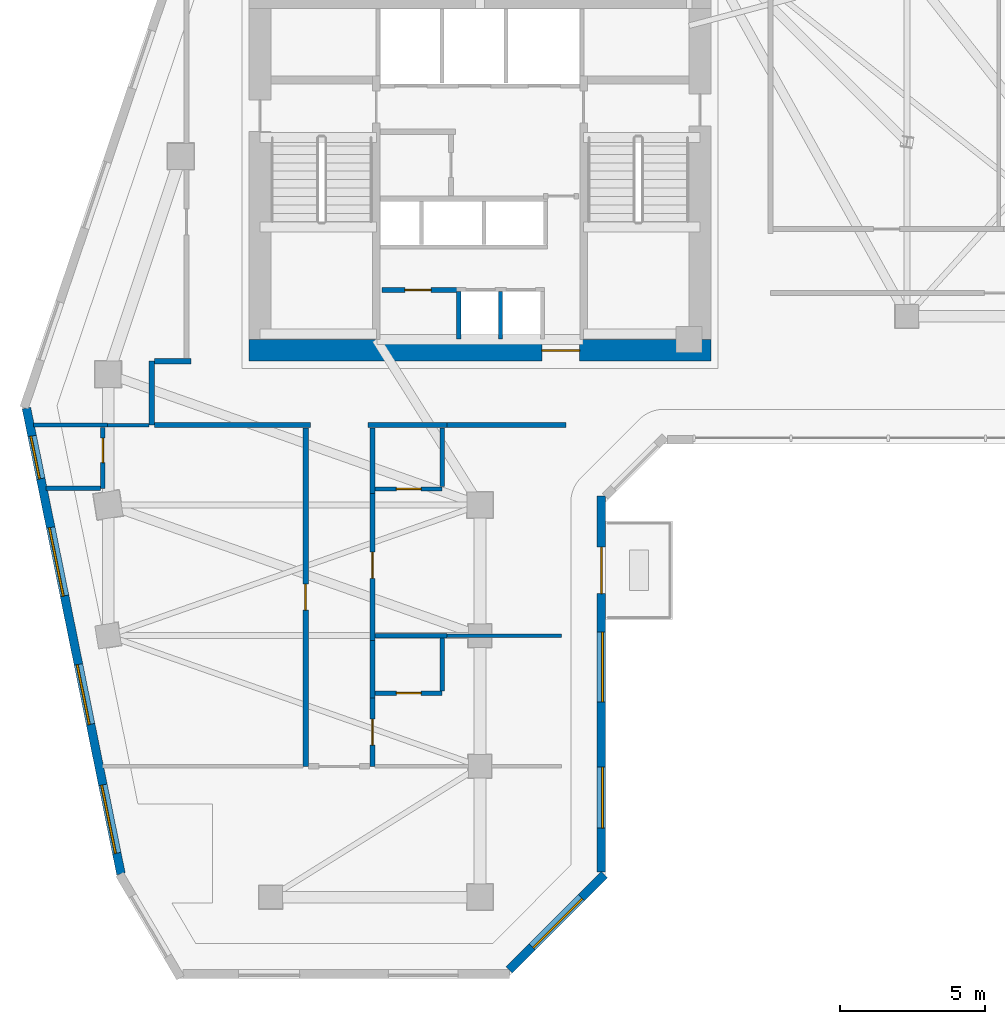
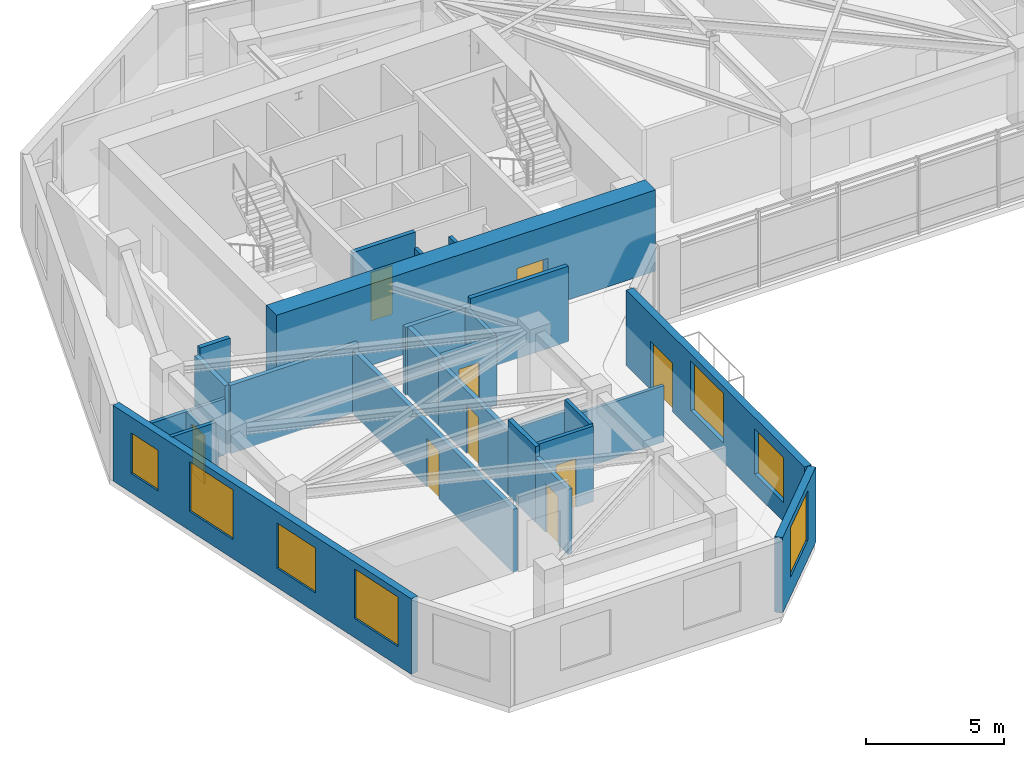
# One storey, part 4 of 10: 27 walls, 9 doors, 7 windows, 16 openings.
"""IFC4 building model written with IfcOpenShell, lengths in metres."""

from ifc_helpers import new_model, si_unit, direction, frame, frame_2d, origin, place, context, subcontext, project, spatial, rectangle, extrude, source, transform, mapped, material, layer, layer_set, type_object, element, fill, save


model = new_model("IFC4")

# Units and contexts
model_context = context("Model", 3, precision=1e-05, world=origin(), true_north=direction((0.0, 1.0)))
body_context = subcontext(model_context, "Body", "Model", "MODEL_VIEW")
ifc_project = project(units=[si_unit("LENGTHUNIT", "METRE"), si_unit("AREAUNIT", "SQUARE_METRE"), si_unit("VOLUMEUNIT", "CUBIC_METRE"), si_unit("PLANEANGLEUNIT", "RADIAN"), si_unit("MASSUNIT", "GRAM", prefix="KILO")], contexts=[model_context])

# Site, building, storey
site_placement = place(None, origin())
site = spatial("IfcSite", under=ifc_project, at=site_placement, CompositionType="ELEMENT")
building_placement = place(site_placement, origin())
building = spatial("IfcBuilding", under=site, at=building_placement, Name="Calvemar Wedge Station Tower", CompositionType="ELEMENT")
storey_placement = place(building_placement, frame((0.0, 0.0, 150.199951171875)))
storey = spatial("IfcBuildingStorey", under=building, at=storey_placement, Name="L37", CompositionType="ELEMENT", Elevation=150.199951171875)

# Wall, opening, door
ifc_material_1 = material(Name="Concrete C70", Category="concrete")
ifc_layer_1 = layer(ifc_material_1, 0.75)
ifc_layer_set_1 = layer_set([ifc_layer_1], Name="Concrete C70")
wall_type_1 = type_object("IfcWallType", Name="SW-CORE-750", PredefinedType="SHEAR", material=ifc_layer_set_1)
wall_1_placement = place(storey_placement, frame((15.85009765625, 33.824951171875, 0.0), z_axis=(0.0, 0.0, 1.0), x_axis=(1.0, 0.0, 0.0)))
wall_1 = element("IfcWall", 1, at=wall_1_placement, inside=storey, type_object=wall_type_1, Name="Storey L37 Core Shear Wall S", PredefinedType="SHEAR", context=body_context, shape_type="SweptSolid", body=[
    extrude(rectangle(XDim=15.89990234375, YDim=0.75, at=frame_2d((7.949951171875, 0.0))), origin(), (0.0, 0.0, 1.0), 3.60009765625),
])
shared_shape_1 = source(origin(), body_context, "Body", "SweptSolid", [
    extrude(rectangle(XDim=1.300048828125, YDim=2.14990234375, at=frame_2d((0.64990234375, 1.074951171875))), frame((0.0, 0.385009765625, 0.0), z_axis=(0.0, -1.0, 0.0), x_axis=(1.0, 0.0, 0.0)), (0.0, 0.0, 1.0), 0.77001953125),
])
opening_1_placement = place(wall_1_placement, frame((10.080078125, 0.0, 0.0)))
opening_1 = element("IfcOpeningElement", 2, at=opening_1_placement, cuts=wall_1, Name="Opening DD-130", PredefinedType="OPENING", context=body_context, shape_type="MappedRepresentation", body=[
    mapped(shared_shape_1, transform((0.0, 0.0, 0.0), scale=1.0)),
])
ifc_material_2 = material(Name="Double-leaf lift lobby fire door EI 60")
door_type_1 = type_object("IfcDoorType", Name="DR-DBL-1300", OperationType="DOUBLE_DOOR_SINGLE_SWING", PredefinedType="DOOR", material=ifc_material_2)
shared_shape_2 = source(origin(), body_context, "Body", "SweptSolid", [
    extrude(rectangle(XDim=1.300048828125, YDim=2.14990234375, at=frame_2d((0.64990234375, 1.074951171875))), frame((0.0, 0.02490234375, 0.0), z_axis=(0.0, -1.0, 0.0), x_axis=(1.0, 0.0, 0.0)), (0.0, 0.0, 1.0), 0.050048828125),
])
door_1_placement = place(opening_1_placement, origin())
door_1 = element("IfcDoor", 3, at=door_1_placement, inside=storey, type_object=door_type_1, Name="L37 Passenger Lift Lobby Door", OperationType="DOUBLE_DOOR_SINGLE_SWING", OverallHeight=2.14990234375, OverallWidth=1.300048828125, PredefinedType="DOOR", context=body_context, shape_type="MappedRepresentation", body=[
    mapped(shared_shape_2, transform((0.0, 0.0, 0.0), scale=1.0)),
])
fill(opening_1, door_1)

ifc_material_3 = material(Name="Double-stud fire-rated corridor partition")
ifc_layer_2 = layer(ifc_material_3, 0.179931640625)
ifc_layer_set_2 = layer_set([ifc_layer_2], Name="Double-stud fire-rated corridor partition")
wall_type_2 = type_object("IfcWallType", Name="W-CORR-180", PredefinedType="PARTITIONING", material=ifc_layer_set_2)
wall_2_placement = place(storey_placement, frame((20.419921875, 35.89990234375, 0.0), z_axis=(0.0, 0.0, 1.0), x_axis=(1.0, 0.0, 0.0)))
wall_2 = element("IfcWall", 4, at=wall_2_placement, inside=storey, type_object=wall_type_2, Name="Storey L37 Interior Partition WL-L37-004", PredefinedType="PARTITIONING", context=body_context, shape_type="SweptSolid", body=[
    extrude(rectangle(XDim=2.6201171875, YDim=0.179931640625, at=frame_2d((1.31005859375, 0.0))), origin(), (0.0, 0.0, 1.0), 3.35009765625),
])
shared_shape_3 = source(origin(), body_context, "Body", "SweptSolid", [
    extrude(rectangle(XDim=0.89990234375, YDim=2.14990234375, at=frame_2d((0.449951171875, 1.074951171875))), frame((0.0, 0.10009765625, 0.0), z_axis=(0.0, -1.0, 0.0), x_axis=(1.0, 0.0, 0.0)), (0.0, 0.0, 1.0), 0.199951171875),
])
opening_2_placement = place(wall_2_placement, frame((0.795654296875, 0.0, 0.0)))
opening_2 = element("IfcOpeningElement", 5, at=opening_2_placement, cuts=wall_2, Name="Opening FD-60", PredefinedType="OPENING", context=body_context, shape_type="MappedRepresentation", body=[
    mapped(shared_shape_3, transform((0.0, 0.0, 0.0), scale=1.0)),
])
ifc_material_4 = material(Name="Fire-rated acoustic timber-core entrance door EI 60", Category="wood")
door_type_2 = type_object("IfcDoorType", Name="DR-FD60-900", OperationType="NOTDEFINED", PredefinedType="DOOR", material=ifc_material_4)
shared_shape_4 = source(origin(), body_context, "Body", "SweptSolid", [
    extrude(rectangle(XDim=0.89990234375, YDim=2.14990234375, at=frame_2d((0.449951171875, 1.074951171875))), frame((0.0, 0.02490234375, 0.0), z_axis=(0.0, -1.0, 0.0), x_axis=(1.0, 0.0, 0.0)), (0.0, 0.0, 1.0), 0.050048828125),
])
door_2_placement = place(opening_2_placement, origin())
door_2 = element("IfcDoor", 6, at=door_2_placement, inside=storey, type_object=door_type_2, Name="L37 Housekeeping Store Door", OperationType="SINGLE_SWING_LEFT", OverallHeight=2.14990234375, OverallWidth=0.89990234375, PredefinedType="DOOR", context=body_context, shape_type="MappedRepresentation", body=[
    mapped(shared_shape_4, transform((0.0, 0.0, 0.0), scale=1.0)),
])
fill(opening_2, door_2)

# Walls
wall_3_placement = place(storey_placement, frame((12.5, 31.25, 0.0), z_axis=(0.0, 0.0, 1.0), x_axis=(0.0, 1.0, 0.0)))
element("IfcWall", 7, at=wall_3_placement, inside=storey, type_object=wall_type_2, Name="Storey L37 Interior Partition WL-L37-005", PredefinedType="PARTITIONING", context=body_context, shape_type="SweptSolid", body=[
    extrude(rectangle(XDim=2.199951171875, YDim=0.179931640625, at=frame_2d((1.10009765625, 0.0))), origin(), (0.0, 0.0, 1.0), 3.01904296875),
])
wall_4_placement = place(storey_placement, frame((12.593994140625, 33.449951171875, 0.0), z_axis=(0.0, 0.0, 1.0), x_axis=(1.0, 0.0, 0.0)))
element("IfcWall", 8, at=wall_4_placement, inside=storey, type_object=wall_type_2, Name="Storey L37 Interior Partition WL-L37-006", PredefinedType="PARTITIONING", context=body_context, shape_type="SweptSolid", body=[
    extrude(rectangle(XDim=1.26611328125, YDim=0.179931640625, at=frame_2d((0.633056640625, 0.0))), origin(), (0.0, 0.0, 1.0), 3.35009765625),
])
wall_5_placement = place(storey_placement, frame((17.9599609375, 31.25, 0.0), z_axis=(0.0, 0.0, 1.0), x_axis=(-1.0, 0.0, 0.0)))
element("IfcWall", 9, at=wall_5_placement, inside=storey, type_object=wall_type_2, Name="Storey L37 Interior Partition WL-L37-007", PredefinedType="PARTITIONING", context=body_context, shape_type="SweptSolid", body=[
    extrude(rectangle(XDim=5.365966796875, YDim=0.179931640625, at=frame_2d((2.68310546875, 0.0))), origin(), (0.0, 0.0, 1.0), 3.01904296875),
])
wall_6_placement = place(storey_placement, frame((22.659912109375, 31.25, 0.0), z_axis=(0.0, 0.0, 1.0), x_axis=(-1.0, 0.0, 0.0)))
element("IfcWall", 10, at=wall_6_placement, inside=storey, type_object=wall_type_2, Name="Storey L37 Interior Partition WL-L37-008", PredefinedType="PARTITIONING", context=body_context, shape_type="SweptSolid", body=[
    extrude(rectangle(XDim=2.719970703125, YDim=0.179931640625, at=frame_2d((1.35986328125, 0.0))), origin(), (0.0, 0.0, 1.0), 3.01904296875),
])
wall_7_placement = place(storey_placement, frame((26.760009765625, 31.25, 0.0), z_axis=(0.0, 0.0, 1.0), x_axis=(-1.0, 0.0, 0.0)))
element("IfcWall", 11, at=wall_7_placement, inside=storey, type_object=wall_type_2, Name="Storey L37 Interior Partition WL-L37-009", PredefinedType="PARTITIONING", context=body_context, shape_type="SweptSolid", body=[
    extrude(rectangle(XDim=4.097900390625, YDim=0.179931640625, at=frame_2d((2.048828125, 0.0))), origin(), (0.0, 0.0, 1.0), 3.35009765625),
])

# Wall, opening, door
wall_8_placement = place(storey_placement, frame((17.800048828125, 19.5, 0.0), z_axis=(0.0, 0.0, 1.0), x_axis=(0.0, 1.0, 0.0)))
wall_8 = element("IfcWall", 12, at=wall_8_placement, inside=storey, type_object=wall_type_2, Name="Storey L37 Interior Partition WL-L37-033", PredefinedType="PARTITIONING", context=body_context, shape_type="SweptSolid", body=[
    extrude(rectangle(XDim=11.656005859375, YDim=0.179931640625, at=frame_2d((5.828125, 0.0))), origin(), (0.0, 0.0, 1.0), 2.802978515625),
])
opening_3_placement = place(wall_8_placement, frame((5.3779296875, 0.0, 0.0)))
opening_3 = element("IfcOpeningElement", 13, at=opening_3_placement, cuts=wall_8, Name="Opening FD-60", PredefinedType="OPENING", context=body_context, shape_type="MappedRepresentation", body=[
    mapped(shared_shape_3, transform((0.0, 0.0, 0.0), scale=1.0)),
])
door_3_placement = place(opening_3_placement, origin())
door_3 = element("IfcDoor", 14, at=door_3_placement, inside=storey, type_object=door_type_2, Name="L37 Hotel Suite Door", OperationType="SINGLE_SWING_LEFT", OverallHeight=2.14990234375, OverallWidth=0.89990234375, PredefinedType="DOOR", context=body_context, shape_type="MappedRepresentation", body=[
    mapped(shared_shape_4, transform((0.0, 0.0, 0.0), scale=1.0)),
])
fill(opening_3, door_3)

# Wall
wall_9_placement = place(storey_placement, frame((20.10009765625, 31.156005859375, 0.0), z_axis=(0.0, 0.0, 1.0), x_axis=(0.0, -1.0, 0.0)))
element("IfcWall", 15, at=wall_9_placement, inside=storey, type_object=wall_type_2, Name="Storey L37 Interior Partition WL-L37-034", PredefinedType="PARTITIONING", context=body_context, shape_type="SweptSolid", body=[
    extrude(rectangle(XDim=2.26611328125, YDim=0.179931640625, at=frame_2d((1.133056640625, 0.0))), origin(), (0.0, 0.0, 1.0), 3.01904296875),
])

# Wall, opening, door
wall_10_placement = place(storey_placement, frame((20.10009765625, 28.887939453125, 0.0), z_axis=(0.0, 0.0, 1.0), x_axis=(0.0, -1.0, 0.0)))
wall_10 = element("IfcWall", 16, at=wall_10_placement, inside=storey, type_object=wall_type_2, Name="Storey L37 Interior Partition WL-L37-035", PredefinedType="PARTITIONING", context=body_context, shape_type="SweptSolid", body=[
    extrude(rectangle(XDim=5.0478515625, YDim=0.179931640625, at=frame_2d((2.52392578125, 0.0))), origin(), (0.0, 0.0, 1.0), 2.802978515625),
])
opening_4_placement = place(wall_10_placement, frame((2.01220703125, 0.0, 0.0)))
opening_4 = element("IfcOpeningElement", 17, at=opening_4_placement, cuts=wall_10, Name="Opening FD-60", PredefinedType="OPENING", context=body_context, shape_type="MappedRepresentation", body=[
    mapped(shared_shape_3, transform((0.0, 0.0, 0.0), scale=1.0)),
])
door_4_placement = place(opening_4_placement, origin())
door_4 = element("IfcDoor", 18, at=door_4_placement, inside=storey, type_object=door_type_2, Name="L37 Hotel Guest Room Door", OperationType="SINGLE_SWING_LEFT", OverallHeight=2.14990234375, OverallWidth=0.89990234375, PredefinedType="DOOR", context=body_context, shape_type="MappedRepresentation", body=[
    mapped(shared_shape_4, transform((0.0, 0.0, 0.0), scale=1.0)),
])
fill(opening_4, door_4)

# Wall
wall_11_placement = place(storey_placement, frame((20.10009765625, 23.837890625, 0.0), z_axis=(0.0, 0.0, 1.0), x_axis=(0.0, -1.0, 0.0)))
element("IfcWall", 19, at=wall_11_placement, inside=storey, type_object=wall_type_2, Name="Storey L37 Interior Partition WL-L37-036", PredefinedType="PARTITIONING", context=body_context, shape_type="SweptSolid", body=[
    extrude(rectangle(XDim=1.977783203125, YDim=0.179931640625, at=frame_2d((0.98876953125, 0.0))), origin(), (0.0, 0.0, 1.0), 3.35009765625),
])

# Wall, opening, door
wall_12_placement = place(storey_placement, frame((20.10009765625, 21.85791015625, 0.0), z_axis=(0.0, 0.0, 1.0), x_axis=(0.0, -1.0, 0.0)))
wall_12 = element("IfcWall", 20, at=wall_12_placement, inside=storey, type_object=wall_type_2, Name="Storey L37 Interior Partition WL-L37-037", PredefinedType="PARTITIONING", context=body_context, shape_type="SweptSolid", body=[
    extrude(rectangle(XDim=2.35791015625, YDim=0.179931640625, at=frame_2d((1.178955078125, 0.0))), origin(), (0.0, 0.0, 1.0), 2.879150390625),
])
opening_5_placement = place(wall_12_placement, frame((0.72900390625, 0.0, 0.0)))
opening_5 = element("IfcOpeningElement", 21, at=opening_5_placement, cuts=wall_12, Name="Opening FD-60", PredefinedType="OPENING", context=body_context, shape_type="MappedRepresentation", body=[
    mapped(shared_shape_3, transform((0.0, 0.0, 0.0), scale=1.0)),
])
door_5_placement = place(opening_5_placement, origin())
door_5 = element("IfcDoor", 22, at=door_5_placement, inside=storey, type_object=door_type_2, Name="L37 Hotel Guest Room Door", OperationType="SINGLE_SWING_LEFT", OverallHeight=2.14990234375, OverallWidth=0.89990234375, PredefinedType="DOOR", context=body_context, shape_type="MappedRepresentation", body=[
    mapped(shared_shape_4, transform((0.0, 0.0, 0.0), scale=1.0)),
])
fill(opening_5, door_5)

# Wall, opening, window
ifc_material_5 = material(Name="Precast concrete C45", Category="concrete")
ifc_layer_3 = layer(ifc_material_5, 0.300048828125)
ifc_layer_set_3 = layer_set([ifc_layer_3], Name="Precast concrete C45")
wall_type_3 = type_object("IfcWallType", Name="W-EXT-GFRC-300", PredefinedType="SOLIDWALL", material=ifc_layer_set_3)
wall_13_placement = place(storey_placement, frame((24.803955078125, 12.488037109375, 0.0), z_axis=(0.0, 0.0, 1.0), x_axis=(0.70708046583, 0.707133095564, 0.0)))
wall_13 = element("IfcWall", 23, at=wall_13_placement, inside=storey, type_object=wall_type_3, Name="Storey L37 Bronze GFRC Exterior Wall 3", PredefinedType="SOLIDWALL", context=body_context, shape_type="SweptSolid", body=[
    extrude(rectangle(XDim=4.638916015625, YDim=0.300048828125, at=frame_2d((2.3193359375, 0.0))), origin(), (0.0, 0.0, 1.0), 3.35009765625),
])
shared_shape_5 = source(origin(), body_context, "Body", "SweptSolid", [
    extrude(rectangle(XDim=2.39990234375, YDim=2.199951171875, at=frame_2d((1.199951171875, 1.10009765625))), frame((0.0, 0.16015625, 0.0), z_axis=(0.0, -1.0, 0.0), x_axis=(1.0, 0.0, 0.0)), (0.0, 0.0, 1.0), 0.320068359375),
])
opening_6_placement = place(wall_13_placement, frame((1.118896484375, 0.0, 0.85009765625)))
opening_6 = element("IfcOpeningElement", 24, at=opening_6_placement, cuts=wall_13, Name="Opening W1", PredefinedType="OPENING", context=body_context, shape_type="MappedRepresentation", body=[
    mapped(shared_shape_5, transform((0.0, 0.0, 0.0), scale=1.0)),
])
ifc_material_6 = material(Name="Low-E laminated insulated glass", Category="glass")
window_type_1 = type_object("IfcWindowType", Name="WIN-EXT-1", PartitioningType="SINGLE_PANEL", PredefinedType="WINDOW", material=ifc_material_6)
shared_shape_6 = source(origin(), body_context, "Body", "SweptSolid", [
    extrude(rectangle(XDim=2.39990234375, YDim=2.199951171875, at=frame_2d((1.199951171875, 1.10009765625))), frame((0.0, -0.014892578125, 0.0), z_axis=(0.0, -1.0, 0.0), x_axis=(1.0, 0.0, 0.0)), (0.0, 0.0, 1.0), 0.06005859375),
])
window_1_placement = place(opening_6_placement, origin())
window_1 = element("IfcWindow", 25, at=window_1_placement, inside=storey, type_object=window_type_1, Name="Storey L37 Recessed Window 3.1", OverallHeight=2.199951171875, OverallWidth=2.39990234375, PartitioningType="SINGLE_PANEL", PredefinedType="WINDOW", context=body_context, shape_type="MappedRepresentation", body=[
    mapped(shared_shape_6, transform((0.0, 0.0, 0.0), scale=1.0)),
])
fill(opening_6, window_1)

# Wall, openings, windows, door
wall_14_placement = place(storey_placement, frame((27.97802734375, 15.857421875, 0.0), z_axis=(0.0, 0.0, 1.0), x_axis=(0.0, 1.0, 0.0)))
wall_14 = element("IfcWall", 26, at=wall_14_placement, inside=storey, type_object=wall_type_3, Name="Storey L37 Bronze GFRC Exterior Wall 4", PredefinedType="SOLIDWALL", context=body_context, shape_type="SweptSolid", body=[
    extrude(rectangle(XDim=12.94677734375, YDim=0.300048828125, at=frame_2d((6.473388671875, 0.0))), origin(), (0.0, 0.0, 1.0), 3.35009765625),
])
shared_shape_7 = source(origin(), body_context, "Body", "SweptSolid", [
    extrude(rectangle(XDim=1.60009765625, YDim=2.14990234375, at=frame_2d((0.800048828125, 1.074951171875))), frame((0.0, 0.16015625, 0.0), z_axis=(0.0, -1.0, 0.0), x_axis=(1.0, 0.0, 0.0)), (0.0, 0.0, 1.0), 0.320068359375),
])
opening_7_placement = place(wall_14_placement, frame((9.593017578125, 0.0, 0.0)))
opening_7 = element("IfcOpeningElement", 27, at=opening_7_placement, cuts=wall_14, Name="Opening DT1", PredefinedType="OPENING", context=body_context, shape_type="MappedRepresentation", body=[
    mapped(shared_shape_7, transform((0.0, 0.0, 0.0), scale=1.0)),
])
shared_shape_8 = source(origin(), body_context, "Body", "SweptSolid", [
    extrude(rectangle(XDim=2.10009765625, YDim=2.0, at=frame_2d((1.050048828125, 1.0))), frame((0.0, 0.16015625, 0.0), z_axis=(0.0, -1.0, 0.0), x_axis=(1.0, 0.0, 0.0)), (0.0, 0.0, 1.0), 0.320068359375),
])
opening_8_placement = place(wall_14_placement, frame((1.51806640625, 0.0, 0.85009765625)))
opening_8 = element("IfcOpeningElement", 28, at=opening_8_placement, cuts=wall_14, Name="Opening W4", PredefinedType="OPENING", context=body_context, shape_type="MappedRepresentation", body=[
    mapped(shared_shape_8, transform((0.0, 0.0, 0.0), scale=1.0)),
])
opening_9_placement = place(wall_14_placement, frame((5.864990234375, 0.0, 0.85009765625)))
opening_9 = element("IfcOpeningElement", 29, at=opening_9_placement, cuts=wall_14, Name="Opening W1", PredefinedType="OPENING", context=body_context, shape_type="MappedRepresentation", body=[
    mapped(shared_shape_5, transform((0.0, 0.0, 0.0), scale=1.0)),
])
window_type_2 = type_object("IfcWindowType", Name="WIN-EXT-4", PartitioningType="SINGLE_PANEL", PredefinedType="WINDOW", material=ifc_material_6)
shared_shape_9 = source(origin(), body_context, "Body", "SweptSolid", [
    extrude(rectangle(XDim=2.10009765625, YDim=2.0, at=frame_2d((1.050048828125, 1.0))), frame((0.0, -0.014892578125, 0.0), z_axis=(0.0, -1.0, 0.0), x_axis=(1.0, 0.0, 0.0)), (0.0, 0.0, 1.0), 0.06005859375),
])
window_2_placement = place(opening_8_placement, origin())
window_2 = element("IfcWindow", 30, at=window_2_placement, inside=storey, type_object=window_type_2, Name="Storey L37 Recessed Window 4.1", OverallHeight=2.0, OverallWidth=2.10009765625, PartitioningType="SINGLE_PANEL", PredefinedType="WINDOW", context=body_context, shape_type="MappedRepresentation", body=[
    mapped(shared_shape_9, transform((0.0, 0.0, 0.0), scale=1.0)),
])
fill(opening_8, window_2)
window_3_placement = place(opening_9_placement, origin())
window_3 = element("IfcWindow", 31, at=window_3_placement, inside=storey, type_object=window_type_1, Name="Storey L37 Recessed Window 4.2", OverallHeight=2.199951171875, OverallWidth=2.39990234375, PartitioningType="SINGLE_PANEL", PredefinedType="WINDOW", context=body_context, shape_type="MappedRepresentation", body=[
    mapped(shared_shape_6, transform((0.0, 0.0, 0.0), scale=1.0)),
])
fill(opening_9, window_3)
ifc_material_7 = material(Name="Anodised aluminium 6063-T6", Category="aluminium")
door_type_3 = type_object("IfcDoorType", Name="DR-TERR-1600", OperationType="DOUBLE_DOOR_SLIDING", PredefinedType="DOOR", material=ifc_material_7)
shared_shape_10 = source(origin(), body_context, "Body", "SweptSolid", [
    extrude(rectangle(XDim=1.60009765625, YDim=2.14990234375, at=frame_2d((0.800048828125, 1.074951171875))), frame((0.0, 0.02490234375, 0.0), z_axis=(0.0, -1.0, 0.0), x_axis=(1.0, 0.0, 0.0)), (0.0, 0.0, 1.0), 0.050048828125),
])
door_6_placement = place(opening_7_placement, origin())
door_6 = element("IfcDoor", 32, at=door_6_placement, inside=storey, type_object=door_type_3, Name="Storey L37 Spiral Terrace Door", OperationType="DOUBLE_DOOR_SLIDING", OverallHeight=2.14990234375, OverallWidth=1.60009765625, PredefinedType="DOOR", context=body_context, shape_type="MappedRepresentation", body=[
    mapped(shared_shape_10, transform((0.0, 0.0, 0.0), scale=1.0)),
])
fill(opening_7, door_6)

# Wall, openings, windows
wall_15_placement = place(storey_placement, frame((8.186767578125, 31.833740234375, 0.0), z_axis=(0.0, 0.0, 1.0), x_axis=(0.198869838988, -0.980025911464, 0.0)))
wall_15 = element("IfcWall", 33, at=wall_15_placement, inside=storey, type_object=wall_type_3, Name="Storey L37 Bronze GFRC Exterior Wall 13", PredefinedType="SOLIDWALL", context=body_context, shape_type="SweptSolid", body=[
    extrude(rectangle(XDim=16.36328125, YDim=0.300048828125, at=frame_2d((8.181640625, 0.0))), origin(), (0.0, 0.0, 1.0), 3.35009765625),
])
shared_shape_11 = source(origin(), body_context, "Body", "SweptSolid", [
    extrude(rectangle(XDim=1.5, YDim=1.800048828125, at=frame_2d((0.75, 0.89990234375))), frame((0.0, 0.16015625, 0.0), z_axis=(0.0, -1.0, 0.0), x_axis=(1.0, 0.0, 0.0)), (0.0, 0.0, 1.0), 0.320068359375),
])
opening_10_placement = place(wall_15_placement, frame((0.98095703125, 0.0, 0.85009765625)))
opening_10 = element("IfcOpeningElement", 34, at=opening_10_placement, cuts=wall_15, Name="Opening W3", PredefinedType="OPENING", context=body_context, shape_type="MappedRepresentation", body=[
    mapped(shared_shape_11, transform((0.0, 0.0, 0.0), scale=1.0)),
])
opening_11_placement = place(wall_15_placement, frame((4.195068359375, 0.0, 0.85009765625)))
opening_11 = element("IfcOpeningElement", 35, at=opening_11_placement, cuts=wall_15, Name="Opening W1", PredefinedType="OPENING", context=body_context, shape_type="MappedRepresentation", body=[
    mapped(shared_shape_5, transform((0.0, 0.0, 0.0), scale=1.0)),
])
opening_12_placement = place(wall_15_placement, frame((9.007080078125, 0.0, 0.85009765625)))
opening_12 = element("IfcOpeningElement", 36, at=opening_12_placement, cuts=wall_15, Name="Opening W4", PredefinedType="OPENING", context=body_context, shape_type="MappedRepresentation", body=[
    mapped(shared_shape_8, transform((0.0, 0.0, 0.0), scale=1.0)),
])
opening_13_placement = place(wall_15_placement, frame((13.236083984375, 0.0, 0.85009765625)))
opening_13 = element("IfcOpeningElement", 37, at=opening_13_placement, cuts=wall_15, Name="Opening W1", PredefinedType="OPENING", context=body_context, shape_type="MappedRepresentation", body=[
    mapped(shared_shape_5, transform((0.0, 0.0, 0.0), scale=1.0)),
])
window_4_placement = place(opening_12_placement, origin())
window_4 = element("IfcWindow", 38, at=window_4_placement, inside=storey, type_object=window_type_2, Name="Storey L37 Recessed Window 13.3", OverallHeight=2.0, OverallWidth=2.10009765625, PartitioningType="SINGLE_PANEL", PredefinedType="WINDOW", context=body_context, shape_type="MappedRepresentation", body=[
    mapped(shared_shape_9, transform((0.0, 0.0, 0.0), scale=1.0)),
])
fill(opening_12, window_4)
window_5_placement = place(opening_11_placement, origin())
window_5 = element("IfcWindow", 39, at=window_5_placement, inside=storey, type_object=window_type_1, Name="Storey L37 Recessed Window 13.2", OverallHeight=2.199951171875, OverallWidth=2.39990234375, PartitioningType="SINGLE_PANEL", PredefinedType="WINDOW", context=body_context, shape_type="MappedRepresentation", body=[
    mapped(shared_shape_6, transform((0.0, 0.0, 0.0), scale=1.0)),
])
fill(opening_11, window_5)
window_6_placement = place(opening_13_placement, origin())
window_6 = element("IfcWindow", 40, at=window_6_placement, inside=storey, type_object=window_type_1, Name="Storey L37 Recessed Window 13.4", OverallHeight=2.199951171875, OverallWidth=2.39990234375, PartitioningType="SINGLE_PANEL", PredefinedType="WINDOW", context=body_context, shape_type="MappedRepresentation", body=[
    mapped(shared_shape_6, transform((0.0, 0.0, 0.0), scale=1.0)),
])
fill(opening_13, window_6)
window_type_3 = type_object("IfcWindowType", Name="WIN-EXT-3", PartitioningType="SINGLE_PANEL", PredefinedType="WINDOW", material=ifc_material_6)
shared_shape_12 = source(origin(), body_context, "Body", "SweptSolid", [
    extrude(rectangle(XDim=1.5, YDim=1.800048828125, at=frame_2d((0.75, 0.89990234375))), frame((0.0, -0.014892578125, 0.0), z_axis=(0.0, -1.0, 0.0), x_axis=(1.0, 0.0, 0.0)), (0.0, 0.0, 1.0), 0.06005859375),
])
window_7_placement = place(opening_10_placement, origin())
window_7 = element("IfcWindow", 41, at=window_7_placement, inside=storey, type_object=window_type_3, Name="Storey L37 Recessed Window 13.1", OverallHeight=1.800048828125, OverallWidth=1.5, PartitioningType="SINGLE_PANEL", PredefinedType="WINDOW", context=body_context, shape_type="MappedRepresentation", body=[
    mapped(shared_shape_12, transform((0.0, 0.0, 0.0), scale=1.0)),
])
fill(opening_10, window_7)

# Walls
ifc_material_8 = material(Name="Reinforced concrete blockwork lift shaft wall", Category="masonry")
ifc_layer_4 = layer(ifc_material_8, 0.139892578125)
ifc_layer_set_4 = layer_set([ifc_layer_4], Name="Reinforced concrete blockwork lift shaft wall")
wall_type_4 = type_object("IfcWallType", Name="W-LIFT-160", PredefinedType="SOLIDWALL", material=ifc_layer_set_4)
for number, where, z_axis, x_axis, name in (
    (42, (23.070068359375, 34.219970703125, 0.0), (0.0, 0.0, 1.0), (0.0, 1.0, 0.0), "Storey L37 South Passenger Lift Shaft Wall W"),
    (43, (24.514892578125, 34.219970703125, 0.0), (0.0, 0.0, 1.0), (0.0, 1.0, 0.0), "Storey L37 South Passenger Lift Shaft Wall D1"),
):
    element("IfcWall", number, at=place(storey_placement, frame(where, z_axis=z_axis, x_axis=x_axis)), inside=storey, type_object=wall_type_4, Name=name, PredefinedType="SOLIDWALL", context=body_context, shape_type="SweptSolid", body=[
        extrude(rectangle(XDim=1.6201171875, YDim=0.139892578125, at=frame_2d((0.81005859375, 0.0))), origin(), (0.0, 0.0, 1.0), 2.64208984375),
    ])
ifc_material_9 = material(Name="Insulated acoustic gypsum stud partition")
ifc_layer_5 = layer(ifc_material_9, 0.125)
ifc_layer_set_5 = layer_set([ifc_layer_5], Name="Insulated acoustic gypsum stud partition")
wall_type_5 = type_object("IfcWallType", Name="W-PART-125", PredefinedType="PARTITIONING", material=ifc_layer_set_5)
wall_16_placement = place(storey_placement, frame((12.406005859375, 31.25, 0.0), z_axis=(0.0, 0.0, 1.0), x_axis=(-1.0, 0.0, 0.0)))
element("IfcWall", 44, at=wall_16_placement, inside=storey, type_object=wall_type_5, Name="Storey L37 Interior Partition WL-L37-017", PredefinedType="PARTITIONING", context=body_context, shape_type="SweptSolid", body=[
    extrude(rectangle(XDim=1.425537109375, YDim=0.125, at=frame_2d((0.712890625, 0.0))), origin(), (0.0, 0.0, 1.0), 2.491943359375),
])
wall_17_placement = place(storey_placement, frame((26.60009765625, 24.0, 0.0), z_axis=(0.0, 0.0, 1.0), x_axis=(-1.0, 0.0, 0.0)))
element("IfcWall", 45, at=wall_17_placement, inside=storey, type_object=wall_type_5, Name="Storey L37 Interior Partition WL-L37-045", PredefinedType="PARTITIONING", context=body_context, shape_type="SweptSolid", body=[
    extrude(rectangle(XDim=3.93798828125, YDim=0.125, at=frame_2d((1.968994140625, 0.0))), origin(), (0.0, 0.0, 1.0), 2.491943359375),
])
ifc_material_10 = material(Name="Moisture-resistant acoustic bathroom partition")
ifc_layer_6 = layer(ifc_material_10, 0.14990234375)
ifc_layer_set_6 = layer_set([ifc_layer_6], Name="Moisture-resistant acoustic bathroom partition")
wall_type_6 = type_object("IfcWallType", Name="W-WET-150", PredefinedType="PARTITIONING", material=ifc_layer_set_6)
wall_18_placement = place(storey_placement, frame((10.978515625, 31.25, 0.0), z_axis=(0.0, 0.0, 1.0), x_axis=(-1.0, 0.0, 0.0)))
element("IfcWall", 46, at=wall_18_placement, inside=storey, type_object=wall_type_6, Name="Storey L37 Interior Partition WL-L37-016", PredefinedType="PARTITIONING", context=body_context, shape_type="SweptSolid", body=[
    extrude(rectangle(XDim=2.555908203125, YDim=0.14990234375, at=frame_2d((1.27783203125, 0.0))), origin(), (0.0, 0.0, 1.0), 2.491943359375),
])

# Wall, opening, door
wall_19_placement = place(storey_placement, frame((10.818603515625, 31.1708984375, 0.0), z_axis=(0.0, 0.0, 1.0), x_axis=(0.0, -1.0, 0.0)))
wall_19 = element("IfcWall", 47, at=wall_19_placement, inside=storey, type_object=wall_type_6, Name="Storey L37 Interior Partition WL-L37-039", PredefinedType="PARTITIONING", context=body_context, shape_type="SweptSolid", body=[
    extrude(rectangle(XDim=2.100830078125, YDim=0.14990234375, at=frame_2d((1.05029296875, 0.0))), origin(), (0.0, 0.0, 1.0), 2.491943359375),
])
shared_shape_13 = source(origin(), body_context, "Body", "SweptSolid", [
    extrude(rectangle(XDim=0.85009765625, YDim=2.14990234375, at=frame_2d((0.425048828125, 1.074951171875))), frame((0.0, 0.0849609375, 0.0), z_axis=(0.0, -1.0, 0.0), x_axis=(1.0, 0.0, 0.0)), (0.0, 0.0, 1.0), 0.169921875),
])
opening_14_placement = place(wall_19_placement, frame((0.366455078125, 0.0, 0.0)))
opening_14 = element("IfcOpeningElement", 48, at=opening_14_placement, cuts=wall_19, Name="Opening D-02", PredefinedType="OPENING", context=body_context, shape_type="MappedRepresentation", body=[
    mapped(shared_shape_13, transform((0.0, 0.0, 0.0), scale=1.0)),
])
ifc_material_11 = material(Name="Moisture-sealed bathroom hardwood swing door", Category="wood")
door_type_4 = type_object("IfcDoorType", Name="DR-WET-850", OperationType="NOTDEFINED", PredefinedType="DOOR", material=ifc_material_11)
shared_shape_14 = source(origin(), body_context, "Body", "SweptSolid", [
    extrude(rectangle(XDim=0.85009765625, YDim=2.14990234375, at=frame_2d((0.425048828125, 1.074951171875))), frame((0.0, 0.02490234375, 0.0), z_axis=(0.0, -1.0, 0.0), x_axis=(1.0, 0.0, 0.0)), (0.0, 0.0, 1.0), 0.050048828125),
])
door_7_placement = place(opening_14_placement, origin())
door_7 = element("IfcDoor", 49, at=door_7_placement, inside=storey, type_object=door_type_4, Name="L37 En-Suite Bathroom Door", OperationType="SINGLE_SWING_RIGHT", OverallHeight=2.14990234375, OverallWidth=0.85009765625, PredefinedType="DOOR", context=body_context, shape_type="MappedRepresentation", body=[
    mapped(shared_shape_14, transform((0.0, 0.0, 0.0), scale=1.0)),
])
fill(opening_14, door_7)

# Wall
wall_20_placement = place(storey_placement, frame((10.739501953125, 29.070068359375, 0.0), z_axis=(0.0, 0.0, 1.0), x_axis=(-1.0, 0.0, 0.0)))
element("IfcWall", 50, at=wall_20_placement, inside=storey, type_object=wall_type_6, Name="Storey L37 Interior Partition WL-L37-040", PredefinedType="PARTITIONING", context=body_context, shape_type="SweptSolid", body=[
    extrude(rectangle(XDim=1.87451171875, YDim=0.14990234375, at=frame_2d((0.937255859375, 0.0))), origin(), (0.0, 0.0, 1.0), 3.35009765625),
])

# Wall, opening, door
wall_21_placement = place(storey_placement, frame((22.5, 29.050048828125, 0.0), z_axis=(0.0, 0.0, 1.0), x_axis=(-1.0, 0.0, 0.0)))
wall_21 = element("IfcWall", 51, at=wall_21_placement, inside=storey, type_object=wall_type_6, Name="Storey L37 Interior Partition WL-L37-042", PredefinedType="PARTITIONING", context=body_context, shape_type="SweptSolid", body=[
    extrude(rectangle(XDim=2.305908203125, YDim=0.14990234375, at=frame_2d((1.15283203125, 0.0))), origin(), (0.0, 0.0, 1.0), 3.01904296875),
])
opening_15_placement = place(wall_21_placement, frame((0.72802734375, 0.0, 0.0)))
opening_15 = element("IfcOpeningElement", 52, at=opening_15_placement, cuts=wall_21, Name="Opening D-02", PredefinedType="OPENING", context=body_context, shape_type="MappedRepresentation", body=[
    mapped(shared_shape_13, transform((0.0, 0.0, 0.0), scale=1.0)),
])
door_8_placement = place(opening_15_placement, origin())
door_8 = element("IfcDoor", 53, at=door_8_placement, inside=storey, type_object=door_type_4, Name="L37 En-Suite Bathroom Door", OperationType="SINGLE_SWING_RIGHT", OverallHeight=2.14990234375, OverallWidth=0.85009765625, PredefinedType="DOOR", context=body_context, shape_type="MappedRepresentation", body=[
    mapped(shared_shape_14, transform((0.0, 0.0, 0.0), scale=1.0)),
])
fill(opening_15, door_8)

# Walls
wall_22_placement = place(storey_placement, frame((22.5, 31.156005859375, 0.0), z_axis=(0.0, 0.0, 1.0), x_axis=(0.0, -1.0, 0.0)))
element("IfcWall", 54, at=wall_22_placement, inside=storey, type_object=wall_type_6, Name="Storey L37 Interior Partition WL-L37-043", PredefinedType="PARTITIONING", context=body_context, shape_type="SweptSolid", body=[
    extrude(rectangle(XDim=2.027099609375, YDim=0.14990234375, at=frame_2d((1.013671875, 0.0))), origin(), (0.0, 0.0, 1.0), 3.01904296875),
])
wall_23_placement = place(storey_placement, frame((22.659912109375, 24.0, 0.0), z_axis=(0.0, 0.0, 1.0), x_axis=(-1.0, 0.0, 0.0)))
element("IfcWall", 55, at=wall_23_placement, inside=storey, type_object=wall_type_6, Name="Storey L37 Interior Partition WL-L37-044", PredefinedType="PARTITIONING", context=body_context, shape_type="SweptSolid", body=[
    extrude(rectangle(XDim=2.4658203125, YDim=0.14990234375, at=frame_2d((1.23291015625, 0.0))), origin(), (0.0, 0.0, 1.0), 2.802978515625),
])

# Wall, opening, door
wall_24_placement = place(storey_placement, frame((22.5, 22.02001953125, 0.0), z_axis=(0.0, 0.0, 1.0), x_axis=(-1.0, 0.0, 0.0)))
wall_24 = element("IfcWall", 56, at=wall_24_placement, inside=storey, type_object=wall_type_6, Name="Storey L37 Interior Partition WL-L37-046", PredefinedType="PARTITIONING", context=body_context, shape_type="SweptSolid", body=[
    extrude(rectangle(XDim=2.305908203125, YDim=0.14990234375, at=frame_2d((1.15283203125, 0.0))), origin(), (0.0, 0.0, 1.0), 3.35009765625),
])
opening_16_placement = place(wall_24_placement, frame((0.72802734375, 0.0, 0.0)))
opening_16 = element("IfcOpeningElement", 57, at=opening_16_placement, cuts=wall_24, Name="Opening D-02", PredefinedType="OPENING", context=body_context, shape_type="MappedRepresentation", body=[
    mapped(shared_shape_13, transform((0.0, 0.0, 0.0), scale=1.0)),
])
door_9_placement = place(opening_16_placement, origin())
door_9 = element("IfcDoor", 58, at=door_9_placement, inside=storey, type_object=door_type_4, Name="L37 En-Suite Bathroom Door", OperationType="SINGLE_SWING_RIGHT", OverallHeight=2.14990234375, OverallWidth=0.85009765625, PredefinedType="DOOR", context=body_context, shape_type="MappedRepresentation", body=[
    mapped(shared_shape_14, transform((0.0, 0.0, 0.0), scale=1.0)),
])
fill(opening_16, door_9)

# Wall
wall_25_placement = place(storey_placement, frame((22.5, 23.9208984375, 0.0), z_axis=(0.0, 0.0, 1.0), x_axis=(0.0, -1.0, 0.0)))
element("IfcWall", 59, at=wall_25_placement, inside=storey, type_object=wall_type_6, Name="Storey L37 Interior Partition WL-L37-047", PredefinedType="PARTITIONING", context=body_context, shape_type="SweptSolid", body=[
    extrude(rectangle(XDim=1.82177734375, YDim=0.14990234375, at=frame_2d((0.910888671875, 0.0))), origin(), (0.0, 0.0, 1.0), 3.35009765625),
])

save(model, "model.ifc")
